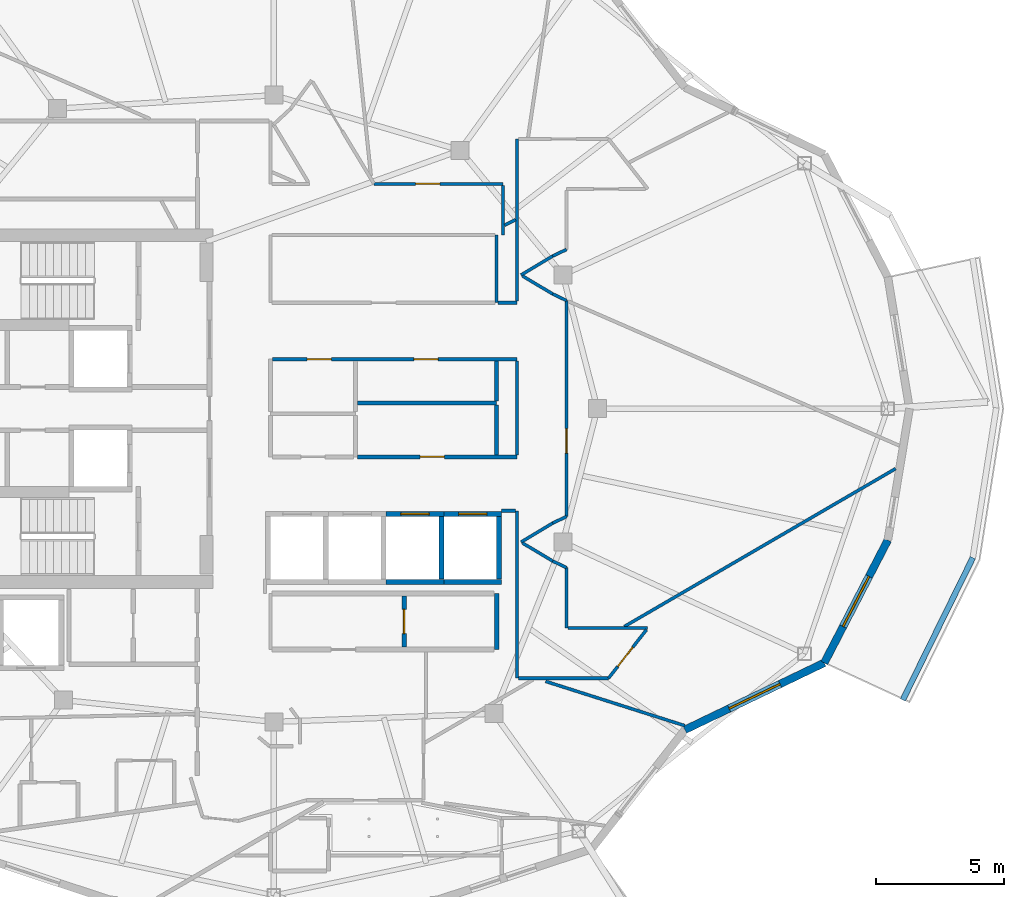
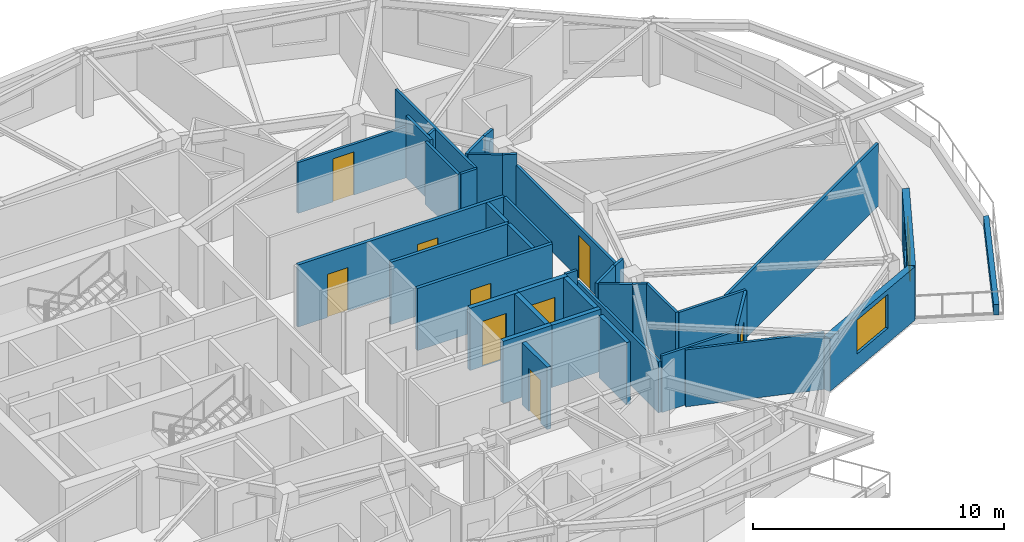
# One storey, part 6 of 18: 40 walls, 9 doors, 2 windows, 11 openings.
"""IFC4 building model written with IfcOpenShell, lengths in metres."""

from ifc_helpers import new_model, si_unit, direction, frame, frame_2d, origin, place, context, subcontext, project, spatial, rectangle, extrude, material, layer, layer_set, type_object, element, fill, save


model = new_model("IFC4")

# Units and contexts
model_context = context("Model", 3, precision=1e-05, world=origin(), true_north=direction((0.0, 1.0)))
body_context = subcontext(model_context, "Body", "Model", "MODEL_VIEW")
ifc_project = project(units=[si_unit("LENGTHUNIT", "METRE"), si_unit("AREAUNIT", "SQUARE_METRE"), si_unit("VOLUMEUNIT", "CUBIC_METRE"), si_unit("PLANEANGLEUNIT", "RADIAN"), si_unit("MASSUNIT", "GRAM", prefix="KILO")], contexts=[model_context])

# Site, building, storey
site_placement = place(None, origin())
site = spatial("IfcSite", under=ifc_project, at=site_placement, CompositionType="ELEMENT")
building_placement = place(site_placement, origin())
building = spatial("IfcBuilding", under=site, at=building_placement, Name="Kolvaren Gate Tower and Convention Centre", CompositionType="ELEMENT")
storey_placement = place(building_placement, frame((0.0, 0.0, 229.39990234375)))
storey = spatial("IfcBuildingStorey", under=building, at=storey_placement, Name="L61", CompositionType="ELEMENT", Elevation=229.39990234375)

# Wall
ifc_material_1 = material(Name="Autoclaved Aerated Masonry Blockwork Class 4 (4.0 MPa)", Category="masonry")
ifc_layer_1 = layer(ifc_material_1, 0.179931640625)
ifc_layer_set_1 = layer_set([ifc_layer_1], Name="Autoclaved Aerated Masonry Blockwork Class 4 (4.0 MPa)")
wall_type_1 = type_object("IfcWallType", Name="ARCH-WL-COMP-180", PredefinedType="SOLIDWALL", material=ifc_layer_set_1)
wall_1_placement = place(storey_placement, frame((38.800048828125, 17.6201171875, 0.0), z_axis=(0.0, 0.0, 1.0), x_axis=(0.0, 1.0, 0.0)))
element("IfcWall", 1, at=wall_1_placement, inside=storey, type_object=wall_type_1, Name="Interior Partition WL-L61-INT-026", PredefinedType="SOLIDWALL", context=body_context, shape_type="SweptSolid", body=[
    extrude(rectangle(XDim=2.179931640625, YDim=0.179931640625, at=frame_2d((1.08984375, 0.0))), origin(), (0.0, 0.0, 1.0), 3.030029296875),
])

# Wall, opening, door
wall_2_placement = place(storey_placement, frame((35.199951171875, 17.7119140625, 0.0), z_axis=(0.0, 0.0, 1.0), x_axis=(0.0, 1.0, 0.0)))
wall_2 = element("IfcWall", 2, at=wall_2_placement, inside=storey, type_object=wall_type_1, Name="Interior Partition WL-L61-INT-033", PredefinedType="SOLIDWALL", context=body_context, shape_type="SweptSolid", body=[
    extrude(rectangle(XDim=1.99609375, YDim=0.179931640625, at=frame_2d((0.998046875, 0.0))), origin(), (0.0, 0.0, 1.0), 3.030029296875),
])
opening_1_placement = place(wall_2_placement, frame((0.52294921875, 0.0, 0.0)))
opening_1 = element("IfcOpeningElement", 3, at=opening_1_placement, cuts=wall_2, Name="Opening DR-01", PredefinedType="OPENING", context=body_context, shape_type="SweptSolid", body=[
    extrude(rectangle(XDim=0.949951171875, YDim=2.10009765625, at=frame_2d((0.47509765625, 1.050048828125))), frame((0.0, 0.099853515625, 0.0), z_axis=(0.0, -1.0, 0.0), x_axis=(1.0, 0.0, 0.0)), (0.0, 0.0, 1.0), 0.199951171875),
])
ifc_material_2 = material(Name="Painted Architectural Steelwork ASTM A500 Grade C 345 MPa", Category="steel")
door_type_1 = type_object("IfcDoorType", Name="ARCH-DR-RISER-950", OperationType="SINGLE_SWING_RIGHT", PredefinedType="DOOR", material=ifc_material_2)
door_1_placement = place(opening_1_placement, origin())
door_1 = element("IfcDoor", 4, at=door_1_placement, inside=storey, type_object=door_type_1, Name="Smart-Metering Room Door", OperationType="SINGLE_SWING_RIGHT", OverallHeight=2.10009765625, OverallWidth=0.949951171875, PredefinedType="DOOR", context=body_context, shape_type="SweptSolid", body=[
    extrude(rectangle(XDim=0.949951171875, YDim=2.10009765625, at=frame_2d((0.47509765625, 1.050048828125))), frame((0.0, 0.02490234375, 0.0), z_axis=(0.0, -1.0, 0.0), x_axis=(1.0, 0.0, 0.0)), (0.0, 0.0, 1.0), 0.050048828125),
])
fill(opening_1, door_1)

# Walls
ifc_material_3 = material(Name="Fire-Rated Acoustic Gypsum Stud Partition", Category="gypsum")
ifc_layer_2 = layer(ifc_material_3, 0.1201171875)
ifc_layer_set_2 = layer_set([ifc_layer_2], Name="Fire-Rated Acoustic Gypsum Stud Partition")
wall_type_2 = type_object("IfcWallType", Name="ARCH-WL-PART-120", PredefinedType="PARTITIONING", material=ifc_layer_set_2)
wall_3_placement = place(storey_placement, frame((38.800048828125, 31.1201171875, 0.0), z_axis=(0.0, 0.0, 1.0), x_axis=(0.0, 1.0, 0.0)))
element("IfcWall", 5, at=wall_3_placement, inside=storey, type_object=wall_type_2, Name="Interior Partition WL-L61-INT-028", PredefinedType="PARTITIONING", context=body_context, shape_type="SweptSolid", body=[
    extrude(rectangle(XDim=2.6298828125, YDim=0.1201171875, at=frame_2d((1.31494140625, 0.0))), origin(), (0.0, 0.0, 1.0), 3.030029296875),
])
wall_4_placement = place(storey_placement, frame((38.862060546875, 31.1201171875, 0.0), z_axis=(0.0, 0.0, 1.0), x_axis=(1.0, 0.0, 0.0)))
element("IfcWall", 6, at=wall_4_placement, inside=storey, type_object=wall_type_2, Name="Interior Partition WL-L61-INT-029 (2)", PredefinedType="PARTITIONING", context=body_context, shape_type="SweptSolid", body=[
    extrude(rectangle(XDim=0.738037109375, YDim=0.1201171875, at=frame_2d((0.369140625, 0.0))), origin(), (0.0, 0.0, 1.0), 3.030029296875),
])

# Wall, opening, door
wall_5_placement = place(storey_placement, frame((34.02490234375, 35.75, 0.0), z_axis=(0.0, 0.0, 1.0), x_axis=(1.0, 0.0, 0.0)))
wall_5 = element("IfcWall", 7, at=wall_5_placement, inside=storey, type_object=wall_type_2, Name="Interior Partition WL-L61-INT-038", PredefinedType="PARTITIONING", context=body_context, shape_type="SweptSolid", body=[
    extrude(rectangle(XDim=5.025146484375, YDim=0.1201171875, at=frame_2d((2.5126953125, 0.0))), origin(), (0.0, 0.0, 1.0), 2.47802734375),
])
opening_2_placement = place(wall_5_placement, frame((1.617431640625, 0.0, 0.0)))
opening_2 = element("IfcOpeningElement", 8, at=opening_2_placement, cuts=wall_5, Name="Opening DR-01", PredefinedType="OPENING", context=body_context, shape_type="SweptSolid", body=[
    extrude(rectangle(XDim=0.949951171875, YDim=2.10009765625, at=frame_2d((0.47509765625, 1.050048828125))), frame((0.0, 0.070068359375, 0.0), z_axis=(0.0, -1.0, 0.0), x_axis=(1.0, 0.0, 0.0)), (0.0, 0.0, 1.0), 0.14013671875),
])
door_2_placement = place(opening_2_placement, origin())
door_2 = element("IfcDoor", 9, at=door_2_placement, inside=storey, type_object=door_type_1, Name="Resident Private Study Door", OperationType="SINGLE_SWING_RIGHT", OverallHeight=2.10009765625, OverallWidth=0.949951171875, PredefinedType="DOOR", context=body_context, shape_type="SweptSolid", body=[
    extrude(rectangle(XDim=0.949951171875, YDim=2.10009765625, at=frame_2d((0.47509765625, 1.050048828125))), frame((0.0, 0.02490234375, 0.0), z_axis=(0.0, -1.0, 0.0), x_axis=(1.0, 0.0, 0.0)), (0.0, 0.0, 1.0), 0.050048828125),
])
fill(opening_2, door_2)

# Walls
wall_6_placement = place(storey_placement, frame((39.050048828125, 33.75, 0.0), z_axis=(0.0, 0.0, 1.0), x_axis=(0.0, 1.0, 0.0)))
element("IfcWall", 10, at=wall_6_placement, inside=storey, type_object=wall_type_2, Name="Interior Partition WL-L61-INT-043", PredefinedType="PARTITIONING", context=body_context, shape_type="SweptSolid", body=[
    extrude(rectangle(XDim=1.93798828125, YDim=0.1201171875, at=frame_2d((0.968994140625, 0.0))), origin(), (0.0, 0.0, 1.0), 3.030029296875),
])
wall_7_placement = place(storey_placement, frame((39.60009765625, 16.5, 0.0), z_axis=(0.0, 0.0, 1.0), x_axis=(0.0, 1.0, 0.0)))
element("IfcWall", 11, at=wall_7_placement, inside=storey, type_object=wall_type_2, Name="Interior Partition WL-L61-INT-044", PredefinedType="PARTITIONING", context=body_context, shape_type="SweptSolid", body=[
    extrude(rectangle(XDim=6.52001953125, YDim=0.1201171875, at=frame_2d((3.260009765625, 0.0))), origin(), (0.0, 0.0, 1.0), 2.47802734375),
])
wall_8_placement = place(storey_placement, frame((39.60009765625, 25.197021484375, 0.0), z_axis=(0.0, 0.0, 1.0), x_axis=(0.0, 1.0, 0.0)))
element("IfcWall", 12, at=wall_8_placement, inside=storey, type_object=wall_type_2, Name="Interior Partition WL-L61-INT-045", PredefinedType="PARTITIONING", context=body_context, shape_type="SweptSolid", body=[
    extrude(rectangle(XDim=3.64599609375, YDim=0.1201171875, at=frame_2d((1.822998046875, 0.0))), origin(), (0.0, 0.0, 1.0), 3.030029296875),
])
wall_9_placement = place(storey_placement, frame((39.60009765625, 31.181884765625, 0.0), z_axis=(0.0, 0.0, 1.0), x_axis=(0.0, 1.0, 0.0)))
element("IfcWall", 13, at=wall_9_placement, inside=storey, type_object=wall_type_2, Name="Interior Partition WL-L61-INT-046", PredefinedType="PARTITIONING", context=body_context, shape_type="SweptSolid", body=[
    extrude(rectangle(XDim=6.318115234375, YDim=0.1201171875, at=frame_2d((3.1591796875, 0.0))), origin(), (0.0, 0.0, 1.0), 3.030029296875),
])
wall_10_placement = place(storey_placement, frame((41.52001953125, 18.449951171875, 0.0), z_axis=(0.0, 0.0, 1.0), x_axis=(0.0, 1.0, 0.0)))
element("IfcWall", 14, at=wall_10_placement, inside=storey, type_object=wall_type_2, Name="Interior Partition WL-L61-INT-050", PredefinedType="PARTITIONING", context=body_context, shape_type="SweptSolid", body=[
    extrude(rectangle(XDim=2.35693359375, YDim=0.1201171875, at=frame_2d((1.178466796875, 0.0))), origin(), (0.0, 0.0, 1.0), 3.030029296875),
])

# Wall, opening, door
wall_11_placement = place(storey_placement, frame((41.52001953125, 22.7939453125, 0.0), z_axis=(0.0, 0.0, 1.0), x_axis=(0.0, 1.0, 0.0)))
wall_11 = element("IfcWall", 15, at=wall_11_placement, inside=storey, type_object=wall_type_2, Name="Interior Partition WL-L61-INT-051", PredefinedType="PARTITIONING", context=body_context, shape_type="SweptSolid", body=[
    extrude(rectangle(XDim=8.4130859375, YDim=0.1201171875, at=frame_2d((4.20654296875, 0.0))), origin(), (0.0, 0.0, 1.0), 2.47802734375),
])
opening_3_placement = place(wall_11_placement, frame((2.471435546875, 0.0, 0.0)))
opening_3 = element("IfcOpeningElement", 16, at=opening_3_placement, cuts=wall_11, Name="Opening DR-01", PredefinedType="OPENING", context=body_context, shape_type="SweptSolid", body=[
    extrude(rectangle(XDim=0.949951171875, YDim=2.10009765625, at=frame_2d((0.47509765625, 1.050048828125))), frame((0.0, 0.070068359375, 0.0), z_axis=(0.0, -1.0, 0.0), x_axis=(1.0, 0.0, 0.0)), (0.0, 0.0, 1.0), 0.14013671875),
])
door_3_placement = place(opening_3_placement, origin())
door_3 = element("IfcDoor", 17, at=door_3_placement, inside=storey, type_object=door_type_1, Name="Resident Quiet Study Office Door", OperationType="SINGLE_SWING_LEFT", OverallHeight=2.10009765625, OverallWidth=0.949951171875, PredefinedType="DOOR", context=body_context, shape_type="SweptSolid", body=[
    extrude(rectangle(XDim=0.949951171875, YDim=2.10009765625, at=frame_2d((0.47509765625, 1.050048828125))), frame((0.0, 0.02490234375, 0.0), z_axis=(0.0, -1.0, 0.0), x_axis=(1.0, 0.0, 0.0)), (0.0, 0.0, 1.0), 0.050048828125),
])
fill(opening_3, door_3)

# Walls
wall_12_placement = place(storey_placement, frame((40.986083984375, 32.93994140625, 0.0), z_axis=(0.0, 0.0, 1.0), x_axis=(0.90356951601, 0.428441512621, 0.0)))
element("IfcWall", 18, at=wall_12_placement, inside=storey, type_object=wall_type_2, Name="Interior Partition WL-L61-INT-053", PredefinedType="PARTITIONING", context=body_context, shape_type="SweptSolid", body=[
    extrude(rectangle(XDim=0.5908203125, YDim=0.1201171875, at=frame_2d((0.29541015625, 0.0))), origin(), (0.0, 0.0, 1.0), 3.030029296875),
])
wall_13_placement = place(storey_placement, frame((39.75, 32.198974609375, 0.0), z_axis=(0.0, 0.0, 1.0), x_axis=(0.857702120906, 0.514146935996, 0.0)))
element("IfcWall", 19, at=wall_13_placement, inside=storey, type_object=wall_type_2, Name="Interior Partition WL-L61-INT-054", PredefinedType="PARTITIONING", context=body_context, shape_type="SweptSolid", body=[
    extrude(rectangle(XDim=1.441162109375, YDim=0.1201171875, at=frame_2d((0.720703125, 0.0))), origin(), (0.0, 0.0, 1.0), 3.030029296875),
])
wall_14_placement = place(storey_placement, frame((39.810302734375, 32.162841796875, 0.0), z_axis=(0.0, 0.0, 1.0), x_axis=(0.858011245414, -0.513630901273, 0.0)))
element("IfcWall", 20, at=wall_14_placement, inside=storey, type_object=wall_type_2, Name="Interior Partition WL-L61-INT-055", PredefinedType="PARTITIONING", context=body_context, shape_type="SweptSolid", body=[
    extrude(rectangle(XDim=1.370361328125, YDim=0.1201171875, at=frame_2d((0.68505859375, 0.0))), origin(), (0.0, 0.0, 1.0), 3.030029296875),
])
wall_15_placement = place(storey_placement, frame((40.986083984375, 31.458984375, 0.0), z_axis=(0.0, 0.0, 1.0), x_axis=(0.903687141457, -0.428193356283, 0.0)))
element("IfcWall", 21, at=wall_15_placement, inside=storey, type_object=wall_type_2, Name="Interior Partition WL-L61-INT-056", PredefinedType="PARTITIONING", context=body_context, shape_type="SweptSolid", body=[
    extrude(rectangle(XDim=0.58837890625, YDim=0.1201171875, at=frame_2d((0.294189453125, 0.0))), origin(), (0.0, 0.0, 1.0), 3.030029296875),
])
wall_16_placement = place(storey_placement, frame((40.986083984375, 22.541015625, 0.0), z_axis=(0.0, 0.0, 1.0), x_axis=(0.903729424576, 0.428104107847, 0.0)))
element("IfcWall", 22, at=wall_16_placement, inside=storey, type_object=wall_type_2, Name="Interior Partition WL-L61-INT-057", PredefinedType="PARTITIONING", context=body_context, shape_type="SweptSolid", body=[
    extrude(rectangle(XDim=0.5908203125, YDim=0.1201171875, at=frame_2d((0.29541015625, 0.0))), origin(), (0.0, 0.0, 1.0), 3.030029296875),
])
wall_17_placement = place(storey_placement, frame((39.75, 21.800048828125, 0.0), z_axis=(0.0, 0.0, 1.0), x_axis=(0.857702120906, 0.514146935996, 0.0)))
element("IfcWall", 23, at=wall_17_placement, inside=storey, type_object=wall_type_2, Name="Interior Partition WL-L61-INT-058", PredefinedType="PARTITIONING", context=body_context, shape_type="SweptSolid", body=[
    extrude(rectangle(XDim=1.441162109375, YDim=0.1201171875, at=frame_2d((0.720703125, 0.0))), origin(), (0.0, 0.0, 1.0), 3.030029296875),
])
wall_18_placement = place(storey_placement, frame((39.810302734375, 21.763916015625, 0.0), z_axis=(0.0, 0.0, 1.0), x_axis=(0.858011245414, -0.513630901273, 0.0)))
element("IfcWall", 24, at=wall_18_placement, inside=storey, type_object=wall_type_2, Name="Interior Partition WL-L61-INT-059", PredefinedType="PARTITIONING", context=body_context, shape_type="SweptSolid", body=[
    extrude(rectangle(XDim=1.370361328125, YDim=0.1201171875, at=frame_2d((0.68505859375, 0.0))), origin(), (0.0, 0.0, 1.0), 3.030029296875),
])
wall_19_placement = place(storey_placement, frame((40.986083984375, 21.06005859375, 0.0), z_axis=(0.0, 0.0, 1.0), x_axis=(0.90356951601, -0.428441512621, 0.0)))
element("IfcWall", 25, at=wall_19_placement, inside=storey, type_object=wall_type_2, Name="Interior Partition WL-L61-INT-060", PredefinedType="PARTITIONING", context=body_context, shape_type="SweptSolid", body=[
    extrude(rectangle(XDim=0.5908203125, YDim=0.1201171875, at=frame_2d((0.29541015625, 0.0))), origin(), (0.0, 0.0, 1.0), 3.030029296875),
])
wall_20_placement = place(storey_placement, frame((41.58203125, 18.449951171875, 0.0), z_axis=(0.0, 0.0, 1.0), x_axis=(1.0, 0.0, 0.0)))
element("IfcWall", 26, at=wall_20_placement, inside=storey, type_object=wall_type_2, Name="Interior Partition WL-L61-INT-061", PredefinedType="PARTITIONING", context=body_context, shape_type="SweptSolid", body=[
    extrude(rectangle(XDim=3.10205078125, YDim=0.1201171875, at=frame_2d((1.551025390625, 0.0))), origin(), (0.0, 0.0, 1.0), 3.030029296875),
])

# Wall, opening, door
wall_21_placement = place(storey_placement, frame((43.156982421875, 16.5, 0.0), z_axis=(0.0, 0.0, 1.0), x_axis=(0.616566276607, 0.787303008092, 0.0)))
wall_21 = element("IfcWall", 27, at=wall_21_placement, inside=storey, type_object=wall_type_2, Name="Interior Partition WL-L61-INT-062", PredefinedType="PARTITIONING", context=body_context, shape_type="SweptSolid", body=[
    extrude(rectangle(XDim=2.39794921875, YDim=0.1201171875, at=frame_2d((1.198974609375, 0.0))), origin(), (0.0, 0.0, 1.0), 3.030029296875),
])
opening_4_placement = place(wall_21_placement, frame((0.583984375, 0.0, 0.0)))
opening_4 = element("IfcOpeningElement", 28, at=opening_4_placement, cuts=wall_21, Name="Opening DR-01", PredefinedType="OPENING", context=body_context, shape_type="SweptSolid", body=[
    extrude(rectangle(XDim=0.949951171875, YDim=2.10009765625, at=frame_2d((0.47509765625, 1.050048828125))), frame((0.0, 0.070068359375, 0.0), z_axis=(0.0, -1.0, 0.0), x_axis=(1.0, 0.0, 0.0)), (0.0, 0.0, 1.0), 0.14013671875),
])
door_4_placement = place(opening_4_placement, origin())
door_4 = element("IfcDoor", 29, at=door_4_placement, inside=storey, type_object=door_type_1, Name="Resident Private Study Door", OperationType="SINGLE_SWING_RIGHT", OverallHeight=2.10009765625, OverallWidth=0.949951171875, PredefinedType="DOOR", context=body_context, shape_type="SweptSolid", body=[
    extrude(rectangle(XDim=0.949951171875, YDim=2.10009765625, at=frame_2d((0.47509765625, 1.050048828125))), frame((0.0, 0.02490234375, 0.0), z_axis=(0.0, -1.0, 0.0), x_axis=(1.0, 0.0, 0.0)), (0.0, 0.0, 1.0), 0.050048828125),
])
fill(opening_4, door_4)

# Walls
wall_22_placement = place(storey_placement, frame((39.662109375, 16.5, 0.0), z_axis=(0.0, 0.0, 1.0), x_axis=(1.0, 0.0, 0.0)))
element("IfcWall", 30, at=wall_22_placement, inside=storey, type_object=wall_type_2, Name="Interior Partition WL-L61-INT-063", PredefinedType="PARTITIONING", context=body_context, shape_type="SweptSolid", body=[
    extrude(rectangle(XDim=3.494873046875, YDim=0.1201171875, at=frame_2d((1.74755859375, 0.0))), origin(), (0.0, 0.0, 1.0), 2.77001953125),
])
wall_23_placement = place(storey_placement, frame((39.0, 23.02001953125, 0.0), z_axis=(0.0, 0.0, 1.0), x_axis=(1.0, 0.0, 0.0)))
element("IfcWall", 31, at=wall_23_placement, inside=storey, type_object=wall_type_2, Name="Interior Partition WL-L61-INT-064", PredefinedType="PARTITIONING", context=body_context, shape_type="SweptSolid", body=[
    extrude(rectangle(XDim=0.5380859375, YDim=0.1201171875, at=frame_2d((0.26904296875, 0.0))), origin(), (0.0, 0.0, 1.0), 3.030029296875),
])
wall_24_placement = place(storey_placement, frame((43.77294921875, 18.511962890625, 0.0), z_axis=(0.0, 0.0, 1.0), x_axis=(0.864261022419, 0.503043621495, 0.0)))
element("IfcWall", 32, at=wall_24_placement, inside=storey, type_object=wall_type_2, Name="Interior Partition WL-L61-INT-087", PredefinedType="PARTITIONING", context=body_context, shape_type="SweptSolid", body=[
    extrude(rectangle(XDim=12.221923828125, YDim=0.1201171875, at=frame_2d((6.11083984375, 0.0))), origin(), (0.0, 0.0, 1.0), 3.030029296875),
])
wall_25_placement = place(storey_placement, frame((40.709228515625, 16.3779296875, 0.0), z_axis=(0.0, 0.0, 1.0), x_axis=(0.95282972489, -0.303505379469, 0.0)))
element("IfcWall", 33, at=wall_25_placement, inside=storey, type_object=wall_type_2, Name="Interior Partition WL-L61-INT-098", PredefinedType="PARTITIONING", context=body_context, shape_type="SweptSolid", body=[
    extrude(rectangle(XDim=5.677490234375, YDim=0.1201171875, at=frame_2d((2.8388671875, 0.0))), origin(), (0.0, 0.0, 1.0), 2.77001953125),
])
wall_26_placement = place(storey_placement, frame((39.112060546875, 34.13671875, 0.0), z_axis=(0.0, 0.0, 1.0), x_axis=(0.892681104984, 0.450688855869, 0.0)))
element("IfcWall", 34, at=wall_26_placement, inside=storey, type_object=wall_type_2, Name="Interior Partition WL-L61-INT-103", PredefinedType="PARTITIONING", context=body_context, shape_type="SweptSolid", body=[
    extrude(rectangle(XDim=0.477294921875, YDim=0.1201171875, at=frame_2d((0.23876953125, 0.0))), origin(), (0.0, 0.0, 1.0), 3.030029296875),
])
ifc_material_4 = material(Name="Piedmont Cream Honed Limestone Cladding", Category="masonry")
ifc_layer_3 = layer(ifc_material_4, 0.219970703125)
ifc_layer_set_3 = layer_set([ifc_layer_3], Name="Piedmont Cream Honed Limestone Cladding")
wall_type_3 = type_object("IfcWallType", Name="ARCH-WL-PLANTER-220", PredefinedType="PARAPET", material=ifc_layer_set_3)
wall_27_placement = place(storey_placement, frame((54.615966796875, 15.6533203125, 0.0), z_axis=(0.0, 0.0, 1.0), x_axis=(0.441640961804, 0.897191875162, 0.0)))
element("IfcWall", 35, at=wall_27_placement, inside=storey, type_object=wall_type_3, Name="Vertical-Forest Balcony Stone Planter Kerb PK-L61-4.1", PredefinedType="PARAPET", context=body_context, shape_type="SweptSolid", body=[
    extrude(rectangle(XDim=6.17822265625, YDim=0.219970703125, at=frame_2d((3.089111328125, 0.0))), origin(), (0.0, 0.0, 1.0), 0.52001953125),
])

# Wall, opening, door
ifc_layer_4 = layer(ifc_material_1, 0.199951171875)
ifc_layer_set_4 = layer_set([ifc_layer_4], Name="Autoclaved Aerated Masonry Blockwork Class 4 (4.0 MPa)")
wall_type_4 = type_object("IfcWallType", Name="ARCH-WL-SHAFT-200", PredefinedType="SOLIDWALL", material=ifc_layer_set_4)
wall_28_placement = place(storey_placement, frame((34.5, 22.89990234375, 0.0), z_axis=(0.0, 0.0, 1.0), x_axis=(1.0, 0.0, 0.0)))
wall_28 = element("IfcWall", 36, at=wall_28_placement, inside=storey, type_object=wall_type_4, Name="Elevator PL-11 L61 Fire Shaft Wall N", PredefinedType="SOLIDWALL", context=body_context, shape_type="SweptSolid", body=[
    extrude(rectangle(XDim=2.25, YDim=0.199951171875, at=frame_2d((1.125, 0.0))), origin(), (0.0, 0.0, 1.0), 3.030029296875),
])
opening_5_placement = place(wall_28_placement, frame((0.574951171875, 0.0, 0.0)))
opening_5 = element("IfcOpeningElement", 37, at=opening_5_placement, cuts=wall_28, Name="Opening LD", PredefinedType="OPENING", context=body_context, shape_type="SweptSolid", body=[
    extrude(rectangle(XDim=1.10009765625, YDim=2.199951171875, at=frame_2d((0.550048828125, 1.10009765625))), frame((0.0, 0.10986328125, 0.0), z_axis=(0.0, -1.0, 0.0), x_axis=(1.0, 0.0, 0.0)), (0.0, 0.0, 1.0), 0.219970703125),
])
ifc_material_5 = material(Name="Brushed Stainless Steel Grade 316L", Category="steel")
door_type_2 = type_object("IfcDoorType", Name="ARCH-DR-LIFT-1100", OperationType="SLIDING_TO_LEFT", PredefinedType="DOOR", material=ifc_material_5)
door_5_placement = place(opening_5_placement, origin())
door_5 = element("IfcDoor", 38, at=door_5_placement, inside=storey, type_object=door_type_2, Name="Elevator PL-11 L61 Sliding Landing Door", OperationType="SLIDING_TO_LEFT", OverallHeight=2.199951171875, OverallWidth=1.10009765625, PredefinedType="DOOR", context=body_context, shape_type="SweptSolid", body=[
    extrude(rectangle(XDim=1.10009765625, YDim=2.199951171875, at=frame_2d((0.550048828125, 1.10009765625))), frame((0.0, 0.02490234375, 0.0), z_axis=(0.0, -1.0, 0.0), x_axis=(1.0, 0.0, 0.0)), (0.0, 0.0, 1.0), 0.050048828125),
])
fill(opening_5, door_5)

# Walls
wall_29_placement = place(storey_placement, frame((34.5, 20.25, 0.0), z_axis=(0.0, 0.0, 1.0), x_axis=(1.0, 0.0, 0.0)))
element("IfcWall", 39, at=wall_29_placement, inside=storey, type_object=wall_type_4, Name="Elevator PL-11 L61 Fire Shaft Wall S", PredefinedType="SOLIDWALL", context=body_context, shape_type="SweptSolid", body=[
    extrude(rectangle(XDim=2.25, YDim=0.199951171875, at=frame_2d((1.125, 0.0))), origin(), (0.0, 0.0, 1.0), 3.030029296875),
])
wall_30_placement = place(storey_placement, frame((36.64990234375, 20.360107421875, 0.0), z_axis=(0.0, 0.0, 1.0), x_axis=(0.0, 1.0, 0.0)))
element("IfcWall", 40, at=wall_30_placement, inside=storey, type_object=wall_type_4, Name="Elevator PL-11 L61 Fire Shaft Wall E", PredefinedType="SOLIDWALL", context=body_context, shape_type="SweptSolid", body=[
    extrude(rectangle(XDim=2.429931640625, YDim=0.199951171875, at=frame_2d((1.21484375, 0.0))), origin(), (0.0, 0.0, 1.0), 3.030029296875),
])

# Wall, opening, door
wall_31_placement = place(storey_placement, frame((36.75, 22.89990234375, 0.0), z_axis=(0.0, 0.0, 1.0), x_axis=(1.0, 0.0, 0.0)))
wall_31 = element("IfcWall", 41, at=wall_31_placement, inside=storey, type_object=wall_type_4, Name="Elevator PL-12 L61 Fire Shaft Wall N", PredefinedType="SOLIDWALL", context=body_context, shape_type="SweptSolid", body=[
    extrude(rectangle(XDim=2.25, YDim=0.199951171875, at=frame_2d((1.125, 0.0))), origin(), (0.0, 0.0, 1.0), 3.030029296875),
])
opening_6_placement = place(wall_31_placement, frame((0.574951171875, 0.0, 0.0)))
opening_6 = element("IfcOpeningElement", 42, at=opening_6_placement, cuts=wall_31, Name="Opening LD", PredefinedType="OPENING", context=body_context, shape_type="SweptSolid", body=[
    extrude(rectangle(XDim=1.10009765625, YDim=2.199951171875, at=frame_2d((0.550048828125, 1.10009765625))), frame((0.0, 0.10986328125, 0.0), z_axis=(0.0, -1.0, 0.0), x_axis=(1.0, 0.0, 0.0)), (0.0, 0.0, 1.0), 0.219970703125),
])
door_6_placement = place(opening_6_placement, origin())
door_6 = element("IfcDoor", 43, at=door_6_placement, inside=storey, type_object=door_type_2, Name="Elevator PL-12 L61 Sliding Landing Door", OperationType="SLIDING_TO_LEFT", OverallHeight=2.199951171875, OverallWidth=1.10009765625, PredefinedType="DOOR", context=body_context, shape_type="SweptSolid", body=[
    extrude(rectangle(XDim=1.10009765625, YDim=2.199951171875, at=frame_2d((0.550048828125, 1.10009765625))), frame((0.0, 0.02490234375, 0.0), z_axis=(0.0, -1.0, 0.0), x_axis=(1.0, 0.0, 0.0)), (0.0, 0.0, 1.0), 0.050048828125),
])
fill(opening_6, door_6)

# Walls
wall_32_placement = place(storey_placement, frame((36.75, 20.25, 0.0), z_axis=(0.0, 0.0, 1.0), x_axis=(1.0, 0.0, 0.0)))
element("IfcWall", 44, at=wall_32_placement, inside=storey, type_object=wall_type_4, Name="Elevator PL-12 L61 Fire Shaft Wall S", PredefinedType="SOLIDWALL", context=body_context, shape_type="SweptSolid", body=[
    extrude(rectangle(XDim=2.25, YDim=0.199951171875, at=frame_2d((1.125, 0.0))), origin(), (0.0, 0.0, 1.0), 3.030029296875),
])
wall_33_placement = place(storey_placement, frame((38.89990234375, 20.360107421875, 0.0), z_axis=(0.0, 0.0, 1.0), x_axis=(0.0, 1.0, 0.0)))
element("IfcWall", 45, at=wall_33_placement, inside=storey, type_object=wall_type_4, Name="Elevator PL-12 L61 Fire Shaft Wall E", PredefinedType="SOLIDWALL", context=body_context, shape_type="SweptSolid", body=[
    extrude(rectangle(XDim=2.429931640625, YDim=0.199951171875, at=frame_2d((1.21484375, 0.0))), origin(), (0.0, 0.0, 1.0), 3.030029296875),
])

# Wall, opening, window
ifc_layer_5 = layer(ifc_material_4, 0.300048828125)
ifc_layer_set_5 = layer_set([ifc_layer_5], Name="Piedmont Cream Honed Limestone Cladding")
wall_type_5 = type_object("IfcWallType", Name="ARCH-WL-STONE-300", PredefinedType="SOLIDWALL", material=ifc_layer_set_5)
wall_34_placement = place(storey_placement, frame((46.132568359375, 14.49267578125, 0.0), z_axis=(0.0, 0.0, 1.0), x_axis=(0.901348331142, 0.433094892545, 0.0)))
wall_34 = element("IfcWall", 46, at=wall_34_placement, inside=storey, type_object=wall_type_5, Name="Tower L61 Honed Stone Spandrel Wall EW-21", PredefinedType="SOLIDWALL", context=body_context, shape_type="SweptSolid", body=[
    extrude(rectangle(XDim=6.0205078125, YDim=0.300048828125, at=frame_2d((3.01025390625, 0.0))), origin(), (0.0, 0.0, 1.0), 2.60498046875),
])
opening_7_placement = place(wall_34_placement, frame((1.909912109375, 0.0, 0.719970703125)))
opening_7 = element("IfcOpeningElement", 47, at=opening_7_placement, cuts=wall_34, Name="Opening W-03", PredefinedType="OPENING", context=body_context, shape_type="SweptSolid", body=[
    extrude(rectangle(XDim=2.199951171875, YDim=1.64990234375, at=frame_2d((1.10009765625, 0.824951171875))), frame((0.0, 0.159912109375, 0.0), z_axis=(0.0, -1.0, 0.0), x_axis=(1.0, 0.0, 0.0)), (0.0, 0.0, 1.0), 0.320068359375),
])
ifc_material_6 = material(Name="Low-E Triple Insulated Glazing Unit 44 mm", Category="glass")
window_type = type_object("IfcWindowType", Name="ARCH-WN-RES-2200", PartitioningType="SINGLE_PANEL", PredefinedType="WINDOW", material=ifc_material_6)
window_1_placement = place(opening_7_placement, origin())
window_1 = element("IfcWindow", 48, at=window_1_placement, inside=storey, type_object=window_type, Name="Tower L61 Punched Stone Facade Window W-21", OverallHeight=1.64990234375, OverallWidth=2.199951171875, PartitioningType="SINGLE_PANEL", PredefinedType="WINDOW", context=body_context, shape_type="SweptSolid", body=[
    extrude(rectangle(XDim=2.199951171875, YDim=1.64990234375, at=frame_2d((1.10009765625, 0.824951171875))), frame((0.0, 0.030029296875, 0.0), z_axis=(0.0, -1.0, 0.0), x_axis=(1.0, 0.0, 0.0)), (0.0, 0.0, 1.0), 0.06005859375),
])
fill(opening_7, window_1)

wall_35_placement = place(storey_placement, frame((51.55908203125, 17.10009765625, 0.0), z_axis=(0.0, 0.0, 1.0), x_axis=(0.459808219482, 0.888018243786, 0.0)))
wall_35 = element("IfcWall", 49, at=wall_35_placement, inside=storey, type_object=wall_type_5, Name="Tower L61 Honed Stone Spandrel Wall EW-22", PredefinedType="SOLIDWALL", context=body_context, shape_type="SweptSolid", body=[
    extrude(rectangle(XDim=5.377685546875, YDim=0.300048828125, at=frame_2d((2.68896484375, 0.0))), origin(), (0.0, 0.0, 1.0), 2.60498046875),
])
opening_8_placement = place(wall_35_placement, frame((1.589111328125, 0.0, 0.719970703125)))
opening_8 = element("IfcOpeningElement", 50, at=opening_8_placement, cuts=wall_35, Name="Opening W-03", PredefinedType="OPENING", context=body_context, shape_type="SweptSolid", body=[
    extrude(rectangle(XDim=2.199951171875, YDim=1.64990234375, at=frame_2d((1.10009765625, 0.824951171875))), frame((0.0, 0.159912109375, 0.0), z_axis=(0.0, -1.0, 0.0), x_axis=(1.0, 0.0, 0.0)), (0.0, 0.0, 1.0), 0.320068359375),
])
window_2_placement = place(opening_8_placement, origin())
window_2 = element("IfcWindow", 51, at=window_2_placement, inside=storey, type_object=window_type, Name="Tower L61 Punched Stone Facade Window W-22", OverallHeight=1.64990234375, OverallWidth=2.199951171875, PartitioningType="SINGLE_PANEL", PredefinedType="WINDOW", context=body_context, shape_type="SweptSolid", body=[
    extrude(rectangle(XDim=2.199951171875, YDim=1.64990234375, at=frame_2d((1.10009765625, 0.824951171875))), frame((0.0, 0.030029296875, 0.0), z_axis=(0.0, -1.0, 0.0), x_axis=(1.0, 0.0, 0.0)), (0.0, 0.0, 1.0), 0.06005859375),
])
fill(opening_8, window_2)

# Wall, openings, doors
ifc_material_7 = material(Name="Moisture-Resistant Cement-Board Acoustic Partition", Category="gypsum")
ifc_layer_6 = layer(ifc_material_7, 0.14990234375)
ifc_layer_set_6 = layer_set([ifc_layer_6], Name="Moisture-Resistant Cement-Board Acoustic Partition")
wall_type_6 = type_object("IfcWallType", Name="ARCH-WL-WET-150", PredefinedType="PARTITIONING", material=ifc_layer_set_6)
wall_36_placement = place(storey_placement, frame((30.076904296875, 28.919921875, 0.0), z_axis=(0.0, 0.0, 1.0), x_axis=(1.0, 0.0, 0.0)))
wall_36 = element("IfcWall", 52, at=wall_36_placement, inside=storey, type_object=wall_type_6, Name="Interior Partition WL-L61-INT-022", PredefinedType="PARTITIONING", context=body_context, shape_type="SweptSolid", body=[
    extrude(rectangle(XDim=9.523193359375, YDim=0.14990234375, at=frame_2d((4.76171875, 0.0))), origin(), (0.0, 0.0, 1.0), 3.030029296875),
])
opening_9_placement = place(wall_36_placement, frame((1.341552734375, 0.0, 0.0)))
opening_9 = element("IfcOpeningElement", 53, at=opening_9_placement, cuts=wall_36, Name="Opening DR-01", PredefinedType="OPENING", context=body_context, shape_type="SweptSolid", body=[
    extrude(rectangle(XDim=0.949951171875, YDim=2.10009765625, at=frame_2d((0.47509765625, 1.050048828125))), frame((0.0, 0.0849609375, 0.0), z_axis=(0.0, -1.0, 0.0), x_axis=(1.0, 0.0, 0.0)), (0.0, 0.0, 1.0), 0.169921875),
])
opening_10_placement = place(wall_36_placement, frame((5.498046875, 0.0, 0.0)))
opening_10 = element("IfcOpeningElement", 54, at=opening_10_placement, cuts=wall_36, Name="Opening DR-01", PredefinedType="OPENING", context=body_context, shape_type="SweptSolid", body=[
    extrude(rectangle(XDim=0.949951171875, YDim=2.10009765625, at=frame_2d((0.47509765625, 1.050048828125))), frame((0.0, 0.0849609375, 0.0), z_axis=(0.0, -1.0, 0.0), x_axis=(1.0, 0.0, 0.0)), (0.0, 0.0, 1.0), 0.169921875),
])
door_7_placement = place(opening_9_placement, origin())
door_7 = element("IfcDoor", 55, at=door_7_placement, inside=storey, type_object=door_type_1, Name="Accessible North Washroom Door", OperationType="SINGLE_SWING_LEFT", OverallHeight=2.10009765625, OverallWidth=0.949951171875, PredefinedType="DOOR", context=body_context, shape_type="SweptSolid", body=[
    extrude(rectangle(XDim=0.949951171875, YDim=2.10009765625, at=frame_2d((0.47509765625, 1.050048828125))), frame((0.0, 0.02490234375, 0.0), z_axis=(0.0, -1.0, 0.0), x_axis=(1.0, 0.0, 0.0)), (0.0, 0.0, 1.0), 0.050048828125),
])
fill(opening_9, door_7)
door_8_placement = place(opening_10_placement, origin())
door_8 = element("IfcDoor", 56, at=door_8_placement, inside=storey, type_object=door_type_1, Name="Floor Janitor and Supply Store Door", OperationType="SINGLE_SWING_LEFT", OverallHeight=2.10009765625, OverallWidth=0.949951171875, PredefinedType="DOOR", context=body_context, shape_type="SweptSolid", body=[
    extrude(rectangle(XDim=0.949951171875, YDim=2.10009765625, at=frame_2d((0.47509765625, 1.050048828125))), frame((0.0, 0.02490234375, 0.0), z_axis=(0.0, -1.0, 0.0), x_axis=(1.0, 0.0, 0.0)), (0.0, 0.0, 1.0), 0.050048828125),
])
fill(opening_10, door_8)

# Wall, opening, door
wall_37_placement = place(storey_placement, frame((33.376953125, 25.1201171875, 0.0), z_axis=(0.0, 0.0, 1.0), x_axis=(1.0, 0.0, 0.0)))
wall_37 = element("IfcWall", 57, at=wall_37_placement, inside=storey, type_object=wall_type_6, Name="Interior Partition WL-L61-INT-024 (2)", PredefinedType="PARTITIONING", context=body_context, shape_type="SweptSolid", body=[
    extrude(rectangle(XDim=6.22314453125, YDim=0.14990234375, at=frame_2d((3.111572265625, 0.0))), origin(), (0.0, 0.0, 1.0), 3.030029296875),
])
opening_11_placement = place(wall_37_placement, frame((2.44140625, 0.0, 0.0)))
opening_11 = element("IfcOpeningElement", 58, at=opening_11_placement, cuts=wall_37, Name="Opening DR-01", PredefinedType="OPENING", context=body_context, shape_type="SweptSolid", body=[
    extrude(rectangle(XDim=0.949951171875, YDim=2.10009765625, at=frame_2d((0.47509765625, 1.050048828125))), frame((0.0, 0.0849609375, 0.0), z_axis=(0.0, -1.0, 0.0), x_axis=(1.0, 0.0, 0.0)), (0.0, 0.0, 1.0), 0.169921875),
])
door_9_placement = place(opening_11_placement, origin())
door_9 = element("IfcDoor", 59, at=door_9_placement, inside=storey, type_object=door_type_1, Name="Floor Coffee Pantry Door", OperationType="SINGLE_SWING_RIGHT", OverallHeight=2.10009765625, OverallWidth=0.949951171875, PredefinedType="DOOR", context=body_context, shape_type="SweptSolid", body=[
    extrude(rectangle(XDim=0.949951171875, YDim=2.10009765625, at=frame_2d((0.47509765625, 1.050048828125))), frame((0.0, 0.02490234375, 0.0), z_axis=(0.0, -1.0, 0.0), x_axis=(1.0, 0.0, 0.0)), (0.0, 0.0, 1.0), 0.050048828125),
])
fill(opening_11, door_9)

# Walls
wall_38_placement = place(storey_placement, frame((33.376953125, 27.219970703125, 0.0), z_axis=(0.0, 0.0, 1.0), x_axis=(1.0, 0.0, 0.0)))
element("IfcWall", 60, at=wall_38_placement, inside=storey, type_object=wall_type_6, Name="Interior Partition WL-L61-INT-025", PredefinedType="PARTITIONING", context=body_context, shape_type="SweptSolid", body=[
    extrude(rectangle(XDim=5.423095703125, YDim=0.14990234375, at=frame_2d((2.71142578125, 0.0))), origin(), (0.0, 0.0, 1.0), 3.030029296875),
])
wall_39_placement = place(storey_placement, frame((38.800048828125, 25.197021484375, 0.0), z_axis=(0.0, 0.0, 1.0), x_axis=(0.0, 1.0, 0.0)))
element("IfcWall", 61, at=wall_39_placement, inside=storey, type_object=wall_type_6, Name="Interior Partition WL-L61-INT-027", PredefinedType="PARTITIONING", context=body_context, shape_type="SweptSolid", body=[
    extrude(rectangle(XDim=1.946044921875, YDim=0.14990234375, at=frame_2d((0.97314453125, 0.0))), origin(), (0.0, 0.0, 1.0), 3.030029296875),
])
wall_40_placement = place(storey_placement, frame((38.800048828125, 27.297119140625, 0.0), z_axis=(0.0, 0.0, 1.0), x_axis=(0.0, 1.0, 0.0)))
element("IfcWall", 62, at=wall_40_placement, inside=storey, type_object=wall_type_6, Name="Interior Partition WL-L61-INT-027 (2)", PredefinedType="PARTITIONING", context=body_context, shape_type="SweptSolid", body=[
    extrude(rectangle(XDim=1.5458984375, YDim=0.14990234375, at=frame_2d((0.77294921875, 0.0))), origin(), (0.0, 0.0, 1.0), 3.030029296875),
])

save(model, "model.ifc")
